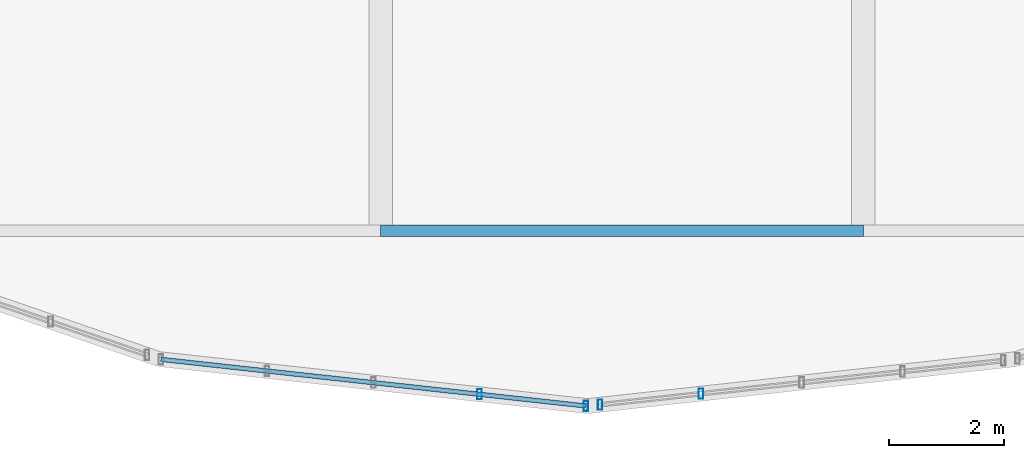
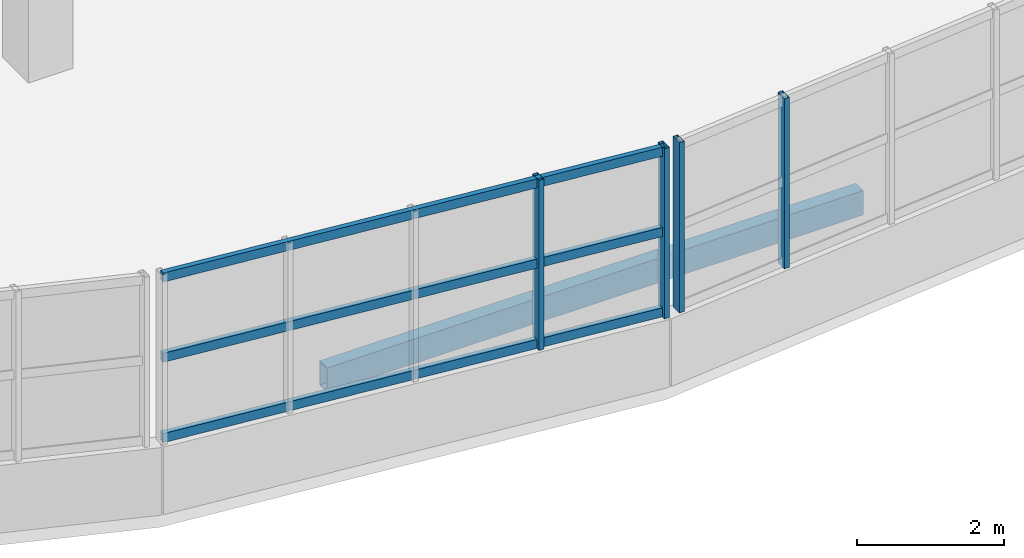
# One storey, part 7 of 52: 7 members, 1 beam, 2 elements without a shape of their own.
"""IFC4 building model written with IfcOpenShell, lengths in metres."""

from ifc_helpers import new_model, si_unit, direction, frame, origin, origin_2d, place, context, subcontext, project, spatial, hollow_rectangle, extrude, material, material_profile, profile_set, type_object, element, aggregate, save


model = new_model("IFC4")

# Units and contexts
model_context = context("Model", 3, precision=1e-05, world=origin(), true_north=direction((0.0, 1.0)))
body_context = subcontext(model_context, "Body", "Model", "MODEL_VIEW")
ifc_project = project(units=[si_unit("LENGTHUNIT", "METRE"), si_unit("AREAUNIT", "SQUARE_METRE"), si_unit("VOLUMEUNIT", "CUBIC_METRE"), si_unit("PLANEANGLEUNIT", "RADIAN"), si_unit("MASSUNIT", "GRAM", prefix="KILO")], contexts=[model_context])

# Site, building, storey
site_placement = place(None, origin())
site = spatial("IfcSite", under=ifc_project, at=site_placement, CompositionType="ELEMENT")
building_placement = place(site_placement, origin())
building = spatial("IfcBuilding", under=site, at=building_placement, Name="Solvento Point Concert Hall", CompositionType="ELEMENT")
storey_placement = place(building_placement, frame((0.0, 0.0, 19.5)))
storey = spatial("IfcBuildingStorey", under=building, at=storey_placement, Name="L04", CompositionType="ELEMENT", Elevation=19.5)

# Curtain wall, members
ifc_material_1 = material(Name="Anodized Bronze Aluminium", Category="aluminium")
curtain_wall_type = type_object("IfcCurtainWallType", Name="CurtainWall_RingRibbon_L03_04", PredefinedType="USERDEFINED", material=ifc_material_1)
curtain_wall_1_placement = place(storey_placement, origin())
curtain_wall_1 = element("IfcCurtainWall", 1, at=curtain_wall_1_placement, inside=storey, type_object=curtain_wall_type, Name="Unitised curtain wall CW-31 UCW-L04-209", ObjectType="UNITISED CURTAIN WALL", PredefinedType="USERDEFINED")
ifc_material_2 = material(Name="Anodized Bronze Aluminium", Category="aluminium")
ifc_material_profile_1 = material_profile(ifc_material_2, hollow_rectangle(XDim=0.080078125, YDim=0.179931640625, WallThickness=0.00390625, at=origin_2d()), Name="CW-MUL-80X180")
ifc_profile_set_1 = profile_set([ifc_material_profile_1], Name="Anodized Bronze Aluminium")
member_type_1 = type_object("IfcMemberType", Name="Mullion_80x180", PredefinedType="MULLION", material=ifc_profile_set_1)
member_1_placement = place(storey_placement, frame((61.170166015625, 6.203369140625, 1.1201171875), z_axis=(0.0, 0.0, 1.0), x_axis=(1.0, 0.0, 0.0)))
member_1 = element("IfcMember", 2, at=member_1_placement, type_object=member_type_1, Name="Curtain wall mullion ML-01", PredefinedType="MULLION", context=body_context, shape_type="SweptSolid", body=[
    extrude(hollow_rectangle(XDim=0.080078125, YDim=0.179931640625, WallThickness=0.00390625, at=origin_2d()), origin(), (0.0, 0.0, 1.0), 2.81982421875),
])
member_2_placement = place(storey_placement, frame((59.321533203125, 6.406005859375, 1.1201171875), z_axis=(0.0, 0.0, 1.0), x_axis=(1.0, 0.0, 0.0)))
member_2 = element("IfcMember", 3, at=member_2_placement, type_object=member_type_1, Name="Curtain wall mullion ML-01", PredefinedType="MULLION", context=body_context, shape_type="SweptSolid", body=[
    extrude(hollow_rectangle(XDim=0.080078125, YDim=0.179931640625, WallThickness=0.00390625, at=origin_2d()), origin(), (0.0, 0.0, 1.0), 2.81982421875),
])

curtain_wall_2_placement = place(storey_placement, origin())
curtain_wall_2 = element("IfcCurtainWall", 4, at=curtain_wall_2_placement, inside=storey, type_object=curtain_wall_type, Name="Unitised curtain wall CW-31 UCW-L04-230", ObjectType="UNITISED CURTAIN WALL", PredefinedType="USERDEFINED")
member_3_placement = place(storey_placement, frame((63.1728515625, 6.41650390625, 1.1201171875), z_axis=(0.0, 0.0, 1.0), x_axis=(1.0, 0.0, 0.0)))
member_3 = element("IfcMember", 5, at=member_3_placement, type_object=member_type_1, Name="Curtain wall mullion ML-01", PredefinedType="MULLION", context=body_context, shape_type="SweptSolid", body=[
    extrude(hollow_rectangle(XDim=0.080078125, YDim=0.179931640625, WallThickness=0.00390625, at=origin_2d()), origin(), (0.0, 0.0, 1.0), 2.81982421875),
])
member_4_placement = place(storey_placement, frame((61.418701171875, 6.22412109375, 1.1201171875), z_axis=(0.0, 0.0, 1.0), x_axis=(1.0, 0.0, 0.0)))
member_4 = element("IfcMember", 6, at=member_4_placement, type_object=member_type_1, Name="Curtain wall mullion ML-01", PredefinedType="MULLION", context=body_context, shape_type="SweptSolid", body=[
    extrude(hollow_rectangle(XDim=0.080078125, YDim=0.179931640625, WallThickness=0.00390625, at=origin_2d()), origin(), (0.0, 0.0, 1.0), 2.81982421875),
])
aggregate(curtain_wall_2, [member_3, member_4])

# Beam
ifc_material_3 = material(Name="Structural Steel ASTM A500 Grade C", Category="steel")
ifc_material_profile_2 = material_profile(ifc_material_3, hollow_rectangle(XDim=0.203125, YDim=0.406494140625, WallThickness=0.01171875, at=origin_2d()), Name="HSS16X8X1/2")
ifc_profile_set_2 = profile_set([ifc_material_profile_2], Name="Structural Steel ASTM A500 Grade C")
beam_type = type_object("IfcBeamType", Name="RingBeam_HSS16X8", PredefinedType="SPANDREL", material=ifc_profile_set_2)
beam_placement = place(storey_placement, frame((57.60009765625, 9.25, -0.497314453125), z_axis=(1.0, 0.0, 0.0), x_axis=(0.0, 1.0, 0.0)))
element("IfcBeam", 7, at=beam_placement, inside=storey, type_object=beam_type, Name="Elliptical perimeter ring beam RB-01 L04", PredefinedType="SPANDREL", context=body_context, shape_type="SweptSolid", body=[
    extrude(hollow_rectangle(XDim=0.203125, YDim=0.406494140625, WallThickness=0.01171875, at=origin_2d()), origin(), (0.0, 0.0, 1.0), 8.39990234375),
])

# Member
ifc_material_4 = material(Name="Anodized Bronze Aluminium", Category="aluminium")
ifc_material_profile_3 = material_profile(ifc_material_4, hollow_rectangle(XDim=0.080078125, YDim=0.14990234375, WallThickness=0.00390625, at=origin_2d()), Name="CW-TRN-80X150")
ifc_profile_set_3 = profile_set([ifc_material_profile_3], Name="Anodized Bronze Aluminium")
member_type_2 = type_object("IfcMemberType", Name="Transom_80x150", PredefinedType="USERDEFINED", material=ifc_profile_set_3)
member_5_placement = place(storey_placement, frame((61.170166015625, 6.203369140625, 1.199951171875), z_axis=(-0.994038444708, 0.109030135481, 0.0), x_axis=(-0.109030135481, -0.994038444708, 0.0)))
member_5 = element("IfcMember", 8, at=member_5_placement, type_object=member_type_2, Name="Curtain wall transom TR-01", ObjectType="TRANSOM", PredefinedType="USERDEFINED", context=body_context, shape_type="SweptSolid", body=[
    extrude(hollow_rectangle(XDim=0.080078125, YDim=0.14990234375, WallThickness=0.00390625, at=origin_2d()), origin(), (0.0, 0.0, 1.0), 7.438720703125),
])

member_6_placement = place(storey_placement, frame((61.170166015625, 6.203369140625, 2.530029296875), z_axis=(-0.994038444708, 0.109030135481, 0.0), x_axis=(-0.109030135481, -0.994038444708, 0.0)))
member_6 = element("IfcMember", 9, at=member_6_placement, type_object=member_type_2, Name="Curtain wall transom TR-01", ObjectType="TRANSOM", PredefinedType="USERDEFINED", context=body_context, shape_type="SweptSolid", body=[
    extrude(hollow_rectangle(XDim=0.080078125, YDim=0.14990234375, WallThickness=0.00390625, at=origin_2d()), origin(), (0.0, 0.0, 1.0), 7.438720703125),
])

member_7_placement = place(storey_placement, frame((61.170166015625, 6.203369140625, 3.860107421875), z_axis=(-0.994038444708, 0.109030135481, 0.0), x_axis=(-0.109030135481, -0.994038444708, 0.0)))
member_7 = element("IfcMember", 10, at=member_7_placement, type_object=member_type_2, Name="Curtain wall transom TR-01", ObjectType="TRANSOM", PredefinedType="USERDEFINED", context=body_context, shape_type="SweptSolid", body=[
    extrude(hollow_rectangle(XDim=0.080078125, YDim=0.14990234375, WallThickness=0.00390625, at=origin_2d()), origin(), (0.0, 0.0, 1.0), 7.438720703125),
])

aggregate(curtain_wall_1, [member_1, member_2, member_5, member_6, member_7])

save(model, "model.ifc")
